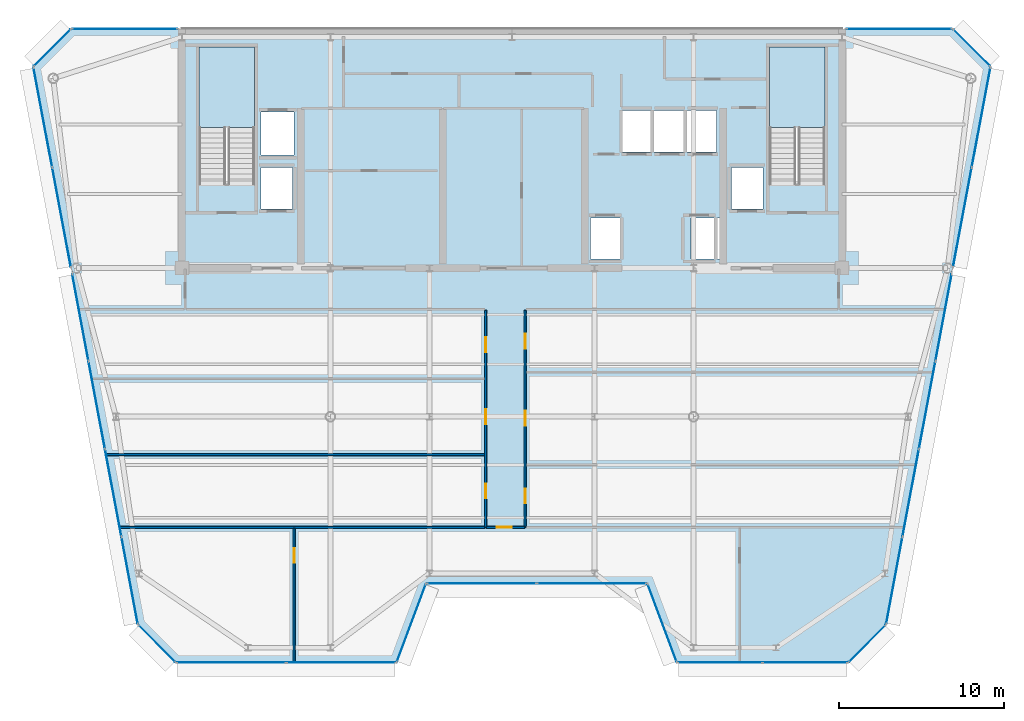
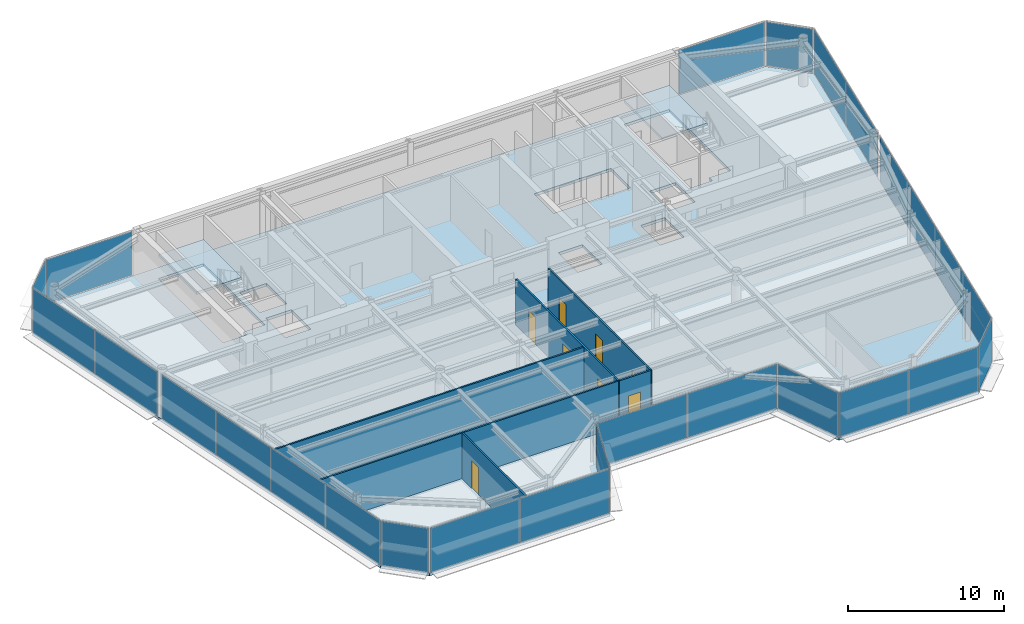
# One storey, part 10 of 20: 26 plates, 8 doors, 6 walls, 3 slabs, 8 openings, 17 elements without a shape of their own.
"""IFC4 building model written with IfcOpenShell, lengths in metres."""

import ifcopenshell
import ifcopenshell.guid

model = None  # the IFC model being written
_history = None  # IfcOwnerHistory: only IFC2X3 demands one
_inside = {}  # id of a spatial element -> (the spatial element, [elements in it])
_under = {}  # id of a project, library or spatial element -> (it, [spatial elements below it])
_declared = {}  # id of a project -> (the project, [libraries it declares])
_typed = {}  # id of a type object -> (the type object, [elements of that type])
_made_of = {}  # id of a material, layer set ... -> (it, [elements and type objects made of it])


def new_model(schema):
    """Start an empty IFC model of exactly this schema.

    Asked for "IFC4X3", IfcOpenShell would pick the latest addendum, in which some entities
    have other attributes; the version numbers below select the first issue.
    IFC2X3 requires an IfcOwnerHistory on every rooted entity: one is made here for all.
    """
    global model, _history
    if schema == "IFC4X3":
        model = ifcopenshell.file(schema_version=(4, 3, 0, 0))
    else:
        model = ifcopenshell.file(schema=schema)
    _inside.clear()
    _under.clear()
    _declared.clear()
    _typed.clear()
    _made_of.clear()
    _history = None
    if model.schema == "IFC2X3":
        org = make("IfcOrganization", Name="unknown")
        user = make(
            "IfcPersonAndOrganization",
            ThePerson=make("IfcPerson", FamilyName="unknown"),
            TheOrganization=org,
        )
        app = make(
            "IfcApplication",
            ApplicationDeveloper=org,
            Version="unknown",
            ApplicationFullName="unknown",
            ApplicationIdentifier="unknown",
        )
        _history = make(
            "IfcOwnerHistory",
            OwningUser=user,
            OwningApplication=app,
            ChangeAction="ADDED",
            CreationDate=0,
        )
    return model


def make(cls, **values):
    """One entity of the class cls with the attributes given. An attribute that is None is left unset."""
    return model.create_entity(
        cls, **{name: value for name, value in values.items() if value is not None}
    )


def rooted(cls, **values):
    """An entity with a GlobalId (a new one), such as an element, a storey or a relation."""
    return make(cls, GlobalId=ifcopenshell.guid.new(), OwnerHistory=_history, **values)


def si_unit(unit_type, name, prefix=None):
    """IfcSIUnit, for example si_unit("LENGTHUNIT", "METRE", prefix="MILLI")."""
    return make("IfcSIUnit", UnitType=unit_type, Prefix=prefix, Name=name)


def assignment(units):
    """IfcUnitAssignment: the units of a project."""
    return None if units is None else make("IfcUnitAssignment", Units=units)


def point(xyz):
    """IfcCartesianPoint."""
    return None if xyz is None else make("IfcCartesianPoint", Coordinates=xyz)


def direction(xyz):
    """IfcDirection."""
    return None if xyz is None else make("IfcDirection", DirectionRatios=xyz)


def frame(location, z_axis=None, x_axis=None):
    """IfcAxis2Placement3D, a coordinate frame: its origin and axes. An axis left out is left unset."""
    return make(
        "IfcAxis2Placement3D",
        Location=point(location),
        Axis=direction(z_axis),
        RefDirection=direction(x_axis),
    )


def frame_2d(location, x_axis=None):
    """IfcAxis2Placement2D, a coordinate frame in the plane: its origin and x axis."""
    return make(
        "IfcAxis2Placement2D", Location=point(location), RefDirection=direction(x_axis)
    )


def origin():
    """The frame at (0, 0, 0) with its axes left unset."""
    return frame((0.0, 0.0, 0.0))


def origin_2d():
    """The frame at (0, 0) in the plane with its x axis left unset."""
    return frame_2d((0.0, 0.0))


def place(relative_to, where):
    """IfcLocalPlacement: puts the frame where relative to a parent placement (None: the world)."""
    return make(
        "IfcLocalPlacement", PlacementRelTo=relative_to, RelativePlacement=where
    )


def context(
    kind, dimensions, precision=None, world=None, true_north=None, identifier=None
):
    """IfcGeometricRepresentationContext, for example the 3D "Model" context."""
    return make(
        "IfcGeometricRepresentationContext",
        ContextIdentifier=identifier,
        ContextType=kind,
        CoordinateSpaceDimension=dimensions,
        Precision=precision,
        WorldCoordinateSystem=world,
        TrueNorth=true_north,
    )


def subcontext(parent, identifier, kind, view, scale=None):
    """IfcGeometricRepresentationSubContext, for example "Body" below "Model"."""
    return make(
        "IfcGeometricRepresentationSubContext",
        ContextIdentifier=identifier,
        ContextType=kind,
        ParentContext=parent,
        TargetScale=scale,
        TargetView=view,
    )


def project(units=None, contexts=None):
    """IfcProject with its units and contexts."""
    return rooted(
        "IfcProject",
        Name="project",
        RepresentationContexts=contexts,
        UnitsInContext=assignment(units),
    )


def spatial(cls, under=None, at=None, **own):
    """A site, building, storey or space (cls), placed at a placement, below another one or the project."""
    s = rooted(cls, ObjectPlacement=at, **own)
    if under is not None:
        _under.setdefault(under.id(), (under, []))[1].append(s)
    return s


def polyline(points):
    """IfcPolyline through the points."""
    return make("IfcPolyline", Points=[point(p) for p in points])


def profile(cls, at=None, kind="AREA", **sizes):
    """A parametric profile (cls). Its sizes go by their IFC names, for example OverallWidth=200.0."""
    return make(cls, ProfileType=kind, Position=at, **sizes)


def rectangle(**sizes):
    """IfcRectangleProfileDef."""
    return profile("IfcRectangleProfileDef", **sizes)


def outline(outer, holes=None, kind="AREA"):
    """IfcArbitraryClosedProfileDef: a profile drawn as a closed curve; with holes, ...WithVoids."""
    if holes is None:
        return make("IfcArbitraryClosedProfileDef", ProfileType=kind, OuterCurve=outer)
    return make(
        "IfcArbitraryProfileDefWithVoids",
        ProfileType=kind,
        OuterCurve=outer,
        InnerCurves=holes,
    )


def extrude(swept, where, along, depth):
    """IfcExtrudedAreaSolid: the profile swept, set in the frame where, extruded along a direction by depth."""
    return make(
        "IfcExtrudedAreaSolid",
        SweptArea=swept,
        Position=where,
        ExtrudedDirection=direction(along),
        Depth=depth,
    )


def shape(context_of_items, identifier, shape_type, items):
    """IfcShapeRepresentation: the items that make up one representation, for example the "Body"."""
    return make(
        "IfcShapeRepresentation",
        ContextOfItems=context_of_items,
        RepresentationIdentifier=identifier,
        RepresentationType=shape_type,
        Items=items,
    )


def source(mapping_origin, context_of_items, identifier, shape_type, items):
    """IfcRepresentationMap: a shape defined once, which mapped items show again and again."""
    return make(
        "IfcRepresentationMap",
        MappingOrigin=mapping_origin,
        MappedRepresentation=shape(context_of_items, identifier, shape_type, items),
    )


def transform(
    local_origin,
    x_axis=None,
    y_axis=None,
    z_axis=None,
    scale=None,
    scale2=None,
    scale3=None,
    uniform=True,
):
    """IfcCartesianTransformationOperator3D, or its non-uniform kind. x_axis, y_axis, z_axis: its Axis1, 2, 3."""
    if uniform:
        return make(
            "IfcCartesianTransformationOperator3D",
            Axis1=direction(x_axis),
            Axis2=direction(y_axis),
            LocalOrigin=point(local_origin),
            Scale=scale,
            Axis3=direction(z_axis),
        )
    return make(
        "IfcCartesianTransformationOperator3DnonUniform",
        Axis1=direction(x_axis),
        Axis2=direction(y_axis),
        LocalOrigin=point(local_origin),
        Scale=scale,
        Axis3=direction(z_axis),
        Scale2=scale2,
        Scale3=scale3,
    )


def mapped(mapping_source, mapping_target):
    """IfcMappedItem: shows the shape of a source again, moved by a transform."""
    return make(
        "IfcMappedItem", MappingSource=mapping_source, MappingTarget=mapping_target
    )


def material(Name=None, Category=None):
    """IfcMaterial."""
    return make("IfcMaterial", Name=Name, Category=Category)


def layer(
    of_material, thickness, ventilated=None, Name=None, Category=None, Priority=None
):
    """IfcMaterialLayer: one layer of a wall or slab, of a material (None: an air gap)."""
    return make(
        "IfcMaterialLayer",
        Material=of_material,
        LayerThickness=thickness,
        IsVentilated=ventilated,
        Name=Name,
        Category=Category,
        Priority=Priority,
    )


def layer_set(layers, Name=None):
    """IfcMaterialLayerSet."""
    return make("IfcMaterialLayerSet", MaterialLayers=layers, LayerSetName=Name)


def made_of(thing, what):
    """Note that an element or type object is made of a material, layer set ...; save() writes the relation."""
    if what is not None:
        _made_of.setdefault(what.id(), (what, []))[1].append(thing)
    return thing


def type_object(cls, material=None, **own):
    """A type object (cls), such as IfcWallType, which elements share."""
    return made_of(rooted(cls, **own), material)


def element(
    cls,
    number,
    at=None,
    inside=None,
    cuts=None,
    type_object=None,
    material=None,
    context=None,
    identifier="Body",
    shape_type=None,
    held_by="IfcProductDefinitionShape",
    body=None,
    shapes=None,
    **own,
):
    """One element of the class cls, such as IfcWall. Its Tag is "e" and its number.

    at: its placement. inside: the storey or other place that contains it. cuts: it is an
    opening in that element (IfcRelVoidsElement). A single representation is given by context,
    identifier, shape_type and body (its items); several are given by shapes. held_by: the class
    of the entity that holds the representations. save() writes the other relations.
    """
    e = rooted(cls, Tag="e%d" % number, ObjectPlacement=at, **own)
    if body is not None:
        shapes = [shape(context, identifier, shape_type, body)]
    if shapes is not None:
        e.Representation = make(held_by, Representations=shapes)
    if inside is not None:
        _inside.setdefault(inside.id(), (inside, []))[1].append(e)
    if cuts is not None:
        rooted(
            "IfcRelVoidsElement", RelatingBuildingElement=cuts, RelatedOpeningElement=e
        )
    if type_object is not None:
        _typed.setdefault(type_object.id(), (type_object, []))[1].append(e)
    return made_of(e, material)


def fill(opening, filler):
    """IfcRelFillsElement: the door or window that sits in an opening."""
    return rooted(
        "IfcRelFillsElement",
        RelatingOpeningElement=opening,
        RelatedBuildingElement=filler,
    )


def aggregate(whole, parts):
    """IfcRelAggregates: a whole, such as a stair, and the parts it consists of."""
    return rooted("IfcRelAggregates", RelatingObject=whole, RelatedObjects=parts)


def save(model, path):
    """Write the relations noted so far, then the file.

    IfcRelAggregates (storeys below a building ...), IfcRelContainedInSpatialStructure (elements
    in a storey), IfcRelDefinesByType, IfcRelAssociatesMaterial and IfcRelDeclares: one each for
    every whole, place, type object, material and project.
    """
    for whole, parts in _under.values():
        aggregate(whole, parts)
    for where, things in _inside.values():
        rooted(
            "IfcRelContainedInSpatialStructure",
            RelatedElements=things,
            RelatingStructure=where,
        )
    for kind, things in _typed.values():
        rooted("IfcRelDefinesByType", RelatedObjects=things, RelatingType=kind)
    for what, things in _made_of.values():
        rooted("IfcRelAssociatesMaterial", RelatedObjects=things, RelatingMaterial=what)
    for by, libraries in _declared.values():
        rooted("IfcRelDeclares", RelatingContext=by, RelatedDefinitions=libraries)
    model.write(path)


model = new_model("IFC4")

# Units and contexts
model_context = context("Model", 3, precision=1e-05, world=origin(), true_north=direction((0.0, 1.0)))
body_context = subcontext(model_context, "Body", "Model", "MODEL_VIEW")
ifc_project = project(units=[si_unit("LENGTHUNIT", "METRE"), si_unit("AREAUNIT", "SQUARE_METRE"), si_unit("VOLUMEUNIT", "CUBIC_METRE"), si_unit("PLANEANGLEUNIT", "RADIAN"), si_unit("MASSUNIT", "GRAM", prefix="KILO")], contexts=[model_context])

# Site, building, storey
site_placement = place(None, origin())
site = spatial("IfcSite", under=ifc_project, at=site_placement, CompositionType="ELEMENT")
building_placement = place(site_placement, origin())
building = spatial("IfcBuilding", under=site, at=building_placement, Name="Vaeldorn Concourse Tower", CompositionType="ELEMENT")
storey_placement = place(building_placement, frame((0.0, 0.0, 291.60009765625)))
storey = spatial("IfcBuildingStorey", under=building, at=storey_placement, Name="L75", CompositionType="ELEMENT", Elevation=291.60009765625)

# Stair, slab
ifc_material_1 = material(Name="Precast concrete C40/50", Category="concrete")
stair_type = type_object("IfcStairType", Name="STR-DOG-24x158", PredefinedType="HALF_TURN_STAIR", material=ifc_material_1)
stair_1_placement = place(storey_placement, origin())
stair_1 = element("IfcStair", 1, at=stair_1_placement, inside=storey, type_object=stair_type, Name="L75 West Core Exit Stair ST-1", PredefinedType="HALF_TURN_STAIR")
ifc_material_2 = material(Name="Concrete C40/50", Category="concrete")
ifc_layer_1 = layer(ifc_material_2, 0.199951171875)
ifc_layer_set_1 = layer_set([ifc_layer_1], Name="Concrete C40/50")
slab_type_1 = type_object("IfcSlabType", Name="SL-STAIR-LANDING", PredefinedType="LANDING", material=ifc_layer_set_1)
slab_1_placement = place(storey_placement, frame((0.0, 0.0, 1.699951171875)))
slab_1 = element("IfcSlab", 2, at=slab_1_placement, type_object=slab_type_1, Name="ST-1 landing 1", PredefinedType="LANDING", context=body_context, shape_type="SweptSolid", body=[
    extrude(outline(polyline([(18.39990234375, 45.010009765625), (18.39990234375, 49.89990234375), (15.050048828125, 49.89990234375), (15.050048828125, 45.010009765625), (18.39990234375, 45.010009765625)])), origin(), (0.0, 0.0, 1.0), 0.199951171875),
])
aggregate(stair_1, [slab_1])

stair_2_placement = place(storey_placement, origin())
stair_2 = element("IfcStair", 3, at=stair_2_placement, inside=storey, type_object=stair_type, Name="L75 East Core Exit Stair ST-2", PredefinedType="HALF_TURN_STAIR")
slab_2_placement = place(storey_placement, frame((0.0, 0.0, 1.699951171875)))
slab_2 = element("IfcSlab", 4, at=slab_2_placement, type_object=slab_type_1, Name="ST-2 landing 1", PredefinedType="LANDING", context=body_context, shape_type="SweptSolid", body=[
    extrude(outline(polyline([(52.949951171875, 45.010009765625), (52.949951171875, 49.89990234375), (49.60009765625, 49.89990234375), (49.60009765625, 45.010009765625), (52.949951171875, 45.010009765625)])), origin(), (0.0, 0.0, 1.0), 0.199951171875),
])
aggregate(stair_2, [slab_2])

# Slab
ifc_layer_2 = layer(ifc_material_2, 0.219970703125)
ifc_layer_set_2 = layer_set([ifc_layer_2], Name="Concrete C40/50")
slab_type_2 = type_object("IfcSlabType", Name="SL-TYP-220", PredefinedType="FLOOR", material=ifc_layer_set_2)
slab_3_placement = place(storey_placement, frame((0.0, 0.0, -0.22021484375)))
element("IfcSlab", 5, at=slab_3_placement, inside=storey, type_object=slab_type_2, Name="Structural Floor Slab L75", PredefinedType="FLOOR", context=body_context, shape_type="SweptSolid", body=[
    extrude(outline(polyline([(13.635986328125, 12.60009765625), (27.0, 12.60009765625), (28.800048828125, 17.39990234375), (42.199951171875, 17.39990234375), (44.0, 12.60009765625), (54.364013671875, 12.60009765625), (56.6640625, 14.89990234375), (63.0, 48.699951171875), (60.699951171875, 51.0), (7.300048828125, 51.0), (5.0, 48.699951171875), (11.3359375, 14.89990234375), (13.635986328125, 12.60009765625)]), holes=[polyline([(18.39990234375, 42.0), (18.39990234375, 49.89990234375), (15.050048828125, 49.89990234375), (15.050048828125, 41.60009765625), (16.800048828125, 41.60009765625), (16.800048828125, 42.0), (18.39990234375, 42.0)]), polyline([(52.949951171875, 42.0), (52.949951171875, 49.89990234375), (49.60009765625, 49.89990234375), (49.60009765625, 41.60009765625), (51.35009765625, 41.60009765625), (51.35009765625, 42.0), (52.949951171875, 42.0)]), polyline([(38.75, 37.050048828125), (40.550048828125, 37.050048828125), (40.550048828125, 39.550048828125), (38.75, 39.550048828125), (38.75, 37.050048828125)]), polyline([(44.85009765625, 37.050048828125), (46.64990234375, 37.050048828125), (46.64990234375, 39.550048828125), (44.85009765625, 39.550048828125), (44.85009765625, 37.050048828125)]), polyline([(40.699951171875, 43.550048828125), (46.39990234375, 43.550048828125), (46.39990234375, 46.050048828125), (40.699951171875, 46.050048828125), (40.699951171875, 43.550048828125)]), polyline([(18.800048828125, 43.35009765625), (20.800048828125, 43.35009765625), (20.800048828125, 45.949951171875), (18.800048828125, 45.949951171875), (18.800048828125, 43.35009765625)]), polyline([(18.800048828125, 40.10009765625), (20.699951171875, 40.10009765625), (20.699951171875, 42.60009765625), (18.800048828125, 42.60009765625), (18.800048828125, 40.10009765625)]), polyline([(47.300048828125, 40.10009765625), (49.199951171875, 40.10009765625), (49.199951171875, 42.60009765625), (47.300048828125, 42.60009765625), (47.300048828125, 40.10009765625)])]), origin(), (0.0, 0.0, 1.0), 0.22021484375),
])

# Curtain wall, plate
ifc_material_3 = material(Name="Anodised Bronze Aluminium", Category="aluminium")
ifc_layer_3 = layer(ifc_material_3, 0.179931640625)
ifc_layer_set_3 = layer_set([ifc_layer_3], Name="Anodised Bronze Aluminium")
curtain_wall_type = type_object("IfcCurtainWallType", Name="CW-SYS-05", PredefinedType="NOTDEFINED", material=ifc_layer_set_3)
curtain_wall_1_placement = place(storey_placement, origin())
curtain_wall_1 = element("IfcCurtainWall", 6, at=curtain_wall_1_placement, inside=storey, type_object=curtain_wall_type, Name="Unitised Curtain Wall CW-L75-E02-1", PredefinedType="NOTDEFINED")
ifc_material_4 = material(Name="Bronze Tinted Low-E Insulated Glass", Category="glass")
ifc_layer_4 = layer(ifc_material_4, 0.031982421875)
ifc_layer_set_4 = layer_set([ifc_layer_4], Name="Bronze Tinted Low-E Insulated Glass")
plate_type = type_object("IfcPlateType", Name="CWP-VISION-32", PredefinedType="CURTAIN_PANEL", material=ifc_layer_set_4)
shared_shape_1 = source(origin(), body_context, "Body", "SweptSolid", [
    extrude(rectangle(XDim=4.996337890625, YDim=0.031982421875, at=origin_2d()), origin(), (0.0, 0.0, 1.0), 3.449951171875),
])
plate_1_placement = place(storey_placement, frame((27.89990234375, 15.0, 0.06494140625), z_axis=(0.0, 0.0, 1.0), x_axis=(0.351123441595, 0.936329177566, 0.0)))
plate_1 = element("IfcPlate", 7, at=plate_1_placement, type_object=plate_type, Name="CW-05 panel 1.1", PredefinedType="CURTAIN_PANEL", context=body_context, shape_type="MappedRepresentation", body=[
    mapped(shared_shape_1, transform((0.0, 0.0, 0.0), scale=1.0)),
])
aggregate(curtain_wall_1, [plate_1])

curtain_wall_2_placement = place(storey_placement, origin())
curtain_wall_2 = element("IfcCurtainWall", 8, at=curtain_wall_2_placement, inside=storey, type_object=curtain_wall_type, Name="Unitised Curtain Wall CW-L75-E04-1", PredefinedType="NOTDEFINED")
plate_2_placement = place(storey_placement, frame((43.10009765625, 15.0, 0.06494140625), z_axis=(0.0, 0.0, 1.0), x_axis=(0.351123441595, -0.936329177566, 0.0)))
plate_2 = element("IfcPlate", 9, at=plate_2_placement, type_object=plate_type, Name="CW-05 panel 1.1", PredefinedType="CURTAIN_PANEL", context=body_context, shape_type="MappedRepresentation", body=[
    mapped(shared_shape_1, transform((0.0, 0.0, 0.0), scale=1.0)),
])
aggregate(curtain_wall_2, [plate_2])

# Curtain wall, plates
curtain_wall_3_placement = place(storey_placement, origin())
curtain_wall_3 = element("IfcCurtainWall", 10, at=curtain_wall_3_placement, inside=storey, type_object=curtain_wall_type, Name="Unitised Curtain Wall CW-L75-E03-1", PredefinedType="NOTDEFINED")
shared_shape_2 = source(origin(), body_context, "Body", "SweptSolid", [
    extrude(rectangle(XDim=6.6025390625, YDim=0.031982421875, at=origin_2d()), origin(), (0.0, 0.0, 1.0), 3.449951171875),
])
plate_3_placement = place(storey_placement, frame((32.166259765625, 17.39990234375, 0.06494140625), z_axis=(0.0, 0.0, 1.0), x_axis=(1.0, 0.0, 0.0)))
plate_3 = element("IfcPlate", 11, at=plate_3_placement, type_object=plate_type, Name="CW-05 panel 1.1", PredefinedType="CURTAIN_PANEL", context=body_context, shape_type="MappedRepresentation", body=[
    mapped(shared_shape_2, transform((0.0, 0.0, 0.0), scale=1.0)),
])
plate_4_placement = place(storey_placement, frame((38.833740234375, 17.39990234375, 0.06494140625), z_axis=(0.0, 0.0, 1.0), x_axis=(1.0, 0.0, 0.0)))
plate_4 = element("IfcPlate", 12, at=plate_4_placement, type_object=plate_type, Name="CW-05 panel 2.1", PredefinedType="CURTAIN_PANEL", context=body_context, shape_type="MappedRepresentation", body=[
    mapped(shared_shape_2, transform((0.0, 0.0, 0.0), scale=1.0)),
])
aggregate(curtain_wall_3, [plate_3, plate_4])

# Curtain wall, plate
curtain_wall_4_placement = place(storey_placement, origin())
curtain_wall_4 = element("IfcCurtainWall", 13, at=curtain_wall_4_placement, inside=storey, type_object=curtain_wall_type, Name="Unitised Curtain Wall CW-L75-E06-1", PredefinedType="NOTDEFINED")
shared_shape_3 = source(origin(), body_context, "Body", "SweptSolid", [
    extrude(rectangle(XDim=3.122802734375, YDim=0.031982421875, at=origin_2d()), origin(), (0.0, 0.0, 1.0), 3.449951171875),
])
plate_5_placement = place(storey_placement, frame((55.513916015625, 13.75, 0.06494140625), z_axis=(0.0, 0.0, 1.0), x_axis=(0.707106781187, 0.707106781187, 0.0)))
plate_5 = element("IfcPlate", 14, at=plate_5_placement, type_object=plate_type, Name="CW-05 panel 1.1", PredefinedType="CURTAIN_PANEL", context=body_context, shape_type="MappedRepresentation", body=[
    mapped(shared_shape_3, transform((0.0, 0.0, 0.0), scale=1.0)),
])
aggregate(curtain_wall_4, [plate_5])

curtain_wall_5_placement = place(storey_placement, origin())
curtain_wall_5 = element("IfcCurtainWall", 15, at=curtain_wall_5_placement, inside=storey, type_object=curtain_wall_type, Name="Unitised Curtain Wall CW-L75-E08-1", PredefinedType="NOTDEFINED")
plate_6_placement = place(storey_placement, frame((61.85009765625, 49.85009765625, 0.06494140625), z_axis=(0.0, 0.0, 1.0), x_axis=(-0.707106781187, 0.707106781187, 0.0)))
plate_6 = element("IfcPlate", 16, at=plate_6_placement, type_object=plate_type, Name="CW-05 panel 1.1", PredefinedType="CURTAIN_PANEL", context=body_context, shape_type="MappedRepresentation", body=[
    mapped(shared_shape_3, transform((0.0, 0.0, 0.0), scale=1.0)),
])
aggregate(curtain_wall_5, [plate_6])

curtain_wall_6_placement = place(storey_placement, origin())
curtain_wall_6 = element("IfcCurtainWall", 17, at=curtain_wall_6_placement, inside=storey, type_object=curtain_wall_type, Name="Unitised Curtain Wall CW-L75-E10-1", PredefinedType="NOTDEFINED")
plate_7_placement = place(storey_placement, frame((6.14990234375, 49.85009765625, 0.06494140625), z_axis=(0.0, 0.0, 1.0), x_axis=(-0.707106781187, -0.707106781187, 0.0)))
plate_7 = element("IfcPlate", 18, at=plate_7_placement, type_object=plate_type, Name="CW-05 panel 1.1", PredefinedType="CURTAIN_PANEL", context=body_context, shape_type="MappedRepresentation", body=[
    mapped(shared_shape_3, transform((0.0, 0.0, 0.0), scale=1.0)),
])
aggregate(curtain_wall_6, [plate_7])

curtain_wall_7_placement = place(storey_placement, origin())
curtain_wall_7 = element("IfcCurtainWall", 19, at=curtain_wall_7_placement, inside=storey, type_object=curtain_wall_type, Name="Unitised Curtain Wall CW-L75-E12-1", PredefinedType="NOTDEFINED")
plate_8_placement = place(storey_placement, frame((12.486083984375, 13.75, 0.06494140625), z_axis=(0.0, 0.0, 1.0), x_axis=(0.707106781187, -0.707106781187, 0.0)))
plate_8 = element("IfcPlate", 20, at=plate_8_placement, type_object=plate_type, Name="CW-05 panel 1.1", PredefinedType="CURTAIN_PANEL", context=body_context, shape_type="MappedRepresentation", body=[
    mapped(shared_shape_3, transform((0.0, 0.0, 0.0), scale=1.0)),
])
aggregate(curtain_wall_7, [plate_8])

curtain_wall_8_placement = place(storey_placement, origin())
curtain_wall_8 = element("IfcCurtainWall", 21, at=curtain_wall_8_placement, inside=storey, type_object=curtain_wall_type, Name="Unitised Curtain Wall CW-L75-E09-1", PredefinedType="NOTDEFINED")
shared_shape_4 = source(origin(), body_context, "Body", "SweptSolid", [
    extrude(rectangle(XDim=6.35009765625, YDim=0.031982421875, at=origin_2d()), origin(), (0.0, 0.0, 1.0), 3.449951171875),
])
plate_9_placement = place(storey_placement, frame((57.4599609375, 51.0, 0.06494140625), z_axis=(0.0, 0.0, 1.0), x_axis=(-1.0, 0.0, 0.0)))
plate_9 = element("IfcPlate", 22, at=plate_9_placement, type_object=plate_type, Name="CW-05 panel 1.1", PredefinedType="CURTAIN_PANEL", context=body_context, shape_type="MappedRepresentation", body=[
    mapped(shared_shape_4, transform((0.0, 0.0, 0.0), scale=1.0)),
])
aggregate(curtain_wall_8, [plate_9])

curtain_wall_9_placement = place(storey_placement, origin())
curtain_wall_9 = element("IfcCurtainWall", 23, at=curtain_wall_9_placement, inside=storey, type_object=curtain_wall_type, Name="Unitised Curtain Wall CW-L75-E09-2", PredefinedType="NOTDEFINED")
plate_10_placement = place(storey_placement, frame((10.5400390625, 51.0, 0.06494140625), z_axis=(0.0, 0.0, 1.0), x_axis=(-1.0, 0.0, 0.0)))
plate_10 = element("IfcPlate", 24, at=plate_10_placement, type_object=plate_type, Name="CW-05 panel 1.1", PredefinedType="CURTAIN_PANEL", context=body_context, shape_type="MappedRepresentation", body=[
    mapped(shared_shape_4, transform((0.0, 0.0, 0.0), scale=1.0)),
])
aggregate(curtain_wall_9, [plate_10])

# Curtain wall, plates
curtain_wall_10_placement = place(storey_placement, origin())
curtain_wall_10 = element("IfcCurtainWall", 25, at=curtain_wall_10_placement, inside=storey, type_object=curtain_wall_type, Name="Unitised Curtain Wall CW-L75-E07-1", PredefinedType="NOTDEFINED")
shared_shape_5 = source(origin(), body_context, "Body", "SweptSolid", [
    extrude(rectangle(XDim=5.31640625, YDim=0.031982421875, at=origin_2d()), origin(), (0.0, 0.0, 1.0), 3.449951171875),
])
plate_11_placement = place(storey_placement, frame((57.165771484375, 17.57666015625, 0.06494140625), z_axis=(0.0, 0.0, 1.0), x_axis=(0.184246714088, 0.982880027444, 0.0)))
plate_11 = element("IfcPlate", 26, at=plate_11_placement, type_object=plate_type, Name="CW-05 panel 1.1", PredefinedType="CURTAIN_PANEL", context=body_context, shape_type="MappedRepresentation", body=[
    mapped(shared_shape_5, transform((0.0, 0.0, 0.0), scale=1.0)),
])
plate_12_placement = place(storey_placement, frame((60.15234375, 33.50830078125, 0.06494140625), z_axis=(0.0, 0.0, 1.0), x_axis=(0.184246714088, 0.982880027444, 0.0)))
plate_12 = element("IfcPlate", 27, at=plate_12_placement, type_object=plate_type, Name="CW-05 panel 4.1", PredefinedType="CURTAIN_PANEL", context=body_context, shape_type="MappedRepresentation", body=[
    mapped(shared_shape_5, transform((0.0, 0.0, 0.0), scale=1.0)),
])

curtain_wall_11_placement = place(storey_placement, origin())
curtain_wall_11 = element("IfcCurtainWall", 28, at=curtain_wall_11_placement, inside=storey, type_object=curtain_wall_type, Name="Unitised Curtain Wall CW-L75-E11-2", PredefinedType="NOTDEFINED")
plate_13_placement = place(storey_placement, frame((7.84765625, 33.50830078125, 0.06494140625), z_axis=(0.0, 0.0, 1.0), x_axis=(0.184246714088, -0.982880027444, 0.0)))
plate_13 = element("IfcPlate", 29, at=plate_13_placement, type_object=plate_type, Name="CW-05 panel 1.1", PredefinedType="CURTAIN_PANEL", context=body_context, shape_type="MappedRepresentation", body=[
    mapped(shared_shape_5, transform((0.0, 0.0, 0.0), scale=1.0)),
])
plate_14_placement = place(storey_placement, frame((10.834228515625, 17.57666015625, 0.06494140625), z_axis=(0.0, 0.0, 1.0), x_axis=(0.184246714088, -0.982880027444, 0.0)))
plate_14 = element("IfcPlate", 30, at=plate_14_placement, type_object=plate_type, Name="CW-05 panel 4.1", PredefinedType="CURTAIN_PANEL", context=body_context, shape_type="MappedRepresentation", body=[
    mapped(shared_shape_5, transform((0.0, 0.0, 0.0), scale=1.0)),
])

# Plate
shared_shape_6 = source(origin(), body_context, "Body", "SweptSolid", [
    extrude(rectangle(XDim=5.348876953125, YDim=0.031982421875, at=origin_2d()), origin(), (0.0, 0.0, 1.0), 3.449951171875),
])
plate_15_placement = place(storey_placement, frame((58.16015625, 22.8818359375, 0.06494140625), z_axis=(0.0, 0.0, 1.0), x_axis=(0.184246714088, 0.982880027444, 0.0)))
plate_15 = element("IfcPlate", 31, at=plate_15_placement, type_object=plate_type, Name="CW-05 panel 2.1", PredefinedType="CURTAIN_PANEL", context=body_context, shape_type="MappedRepresentation", body=[
    mapped(shared_shape_6, transform((0.0, 0.0, 0.0), scale=1.0)),
])

plate_16_placement = place(storey_placement, frame((59.15771484375, 28.203125, 0.06494140625), z_axis=(0.0, 0.0, 1.0), x_axis=(0.184246714088, 0.982880027444, 0.0)))
plate_16 = element("IfcPlate", 32, at=plate_16_placement, type_object=plate_type, Name="CW-05 panel 3.1", PredefinedType="CURTAIN_PANEL", context=body_context, shape_type="MappedRepresentation", body=[
    mapped(shared_shape_6, transform((0.0, 0.0, 0.0), scale=1.0)),
])

aggregate(curtain_wall_10, [plate_11, plate_15, plate_16, plate_12])

plate_17_placement = place(storey_placement, frame((8.84228515625, 28.203125, 0.06494140625), z_axis=(0.0, 0.0, 1.0), x_axis=(0.184246714088, -0.982880027444, 0.0)))
plate_17 = element("IfcPlate", 33, at=plate_17_placement, type_object=plate_type, Name="CW-05 panel 2.1", PredefinedType="CURTAIN_PANEL", context=body_context, shape_type="MappedRepresentation", body=[
    mapped(shared_shape_6, transform((0.0, 0.0, 0.0), scale=1.0)),
])

plate_18_placement = place(storey_placement, frame((9.83984375, 22.8818359375, 0.06494140625), z_axis=(0.0, 0.0, 1.0), x_axis=(0.184246714088, -0.982880027444, 0.0)))
plate_18 = element("IfcPlate", 34, at=plate_18_placement, type_object=plate_type, Name="CW-05 panel 3.1", PredefinedType="CURTAIN_PANEL", context=body_context, shape_type="MappedRepresentation", body=[
    mapped(shared_shape_6, transform((0.0, 0.0, 0.0), scale=1.0)),
])

aggregate(curtain_wall_11, [plate_13, plate_17, plate_18, plate_14])

# Curtain wall, plates
curtain_wall_12_placement = place(storey_placement, origin())
curtain_wall_12 = element("IfcCurtainWall", 35, at=curtain_wall_12_placement, inside=storey, type_object=curtain_wall_type, Name="Unitised Curtain Wall CW-L75-E07-2", PredefinedType="NOTDEFINED")
shared_shape_7 = source(origin(), body_context, "Body", "SweptSolid", [
    extrude(rectangle(XDim=6.103515625, YDim=0.031982421875, at=origin_2d()), origin(), (0.0, 0.0, 1.0), 3.449951171875),
])
plate_19_placement = place(storey_placement, frame((61.289306640625, 39.57373046875, 0.06494140625), z_axis=(0.0, 0.0, 1.0), x_axis=(0.184245693053, 0.982880218842, 0.0)))
plate_19 = element("IfcPlate", 36, at=plate_19_placement, type_object=plate_type, Name="CW-05 panel 1.1", PredefinedType="CURTAIN_PANEL", context=body_context, shape_type="MappedRepresentation", body=[
    mapped(shared_shape_7, transform((0.0, 0.0, 0.0), scale=1.0)),
])
plate_20_placement = place(storey_placement, frame((62.42578125, 45.63671875, 0.06494140625), z_axis=(0.0, 0.0, 1.0), x_axis=(0.184245693053, 0.982880218842, 0.0)))
plate_20 = element("IfcPlate", 37, at=plate_20_placement, type_object=plate_type, Name="CW-05 panel 2.1", PredefinedType="CURTAIN_PANEL", context=body_context, shape_type="MappedRepresentation", body=[
    mapped(shared_shape_7, transform((0.0, 0.0, 0.0), scale=1.0)),
])
aggregate(curtain_wall_12, [plate_19, plate_20])

curtain_wall_13_placement = place(storey_placement, origin())
curtain_wall_13 = element("IfcCurtainWall", 38, at=curtain_wall_13_placement, inside=storey, type_object=curtain_wall_type, Name="Unitised Curtain Wall CW-L75-E11-1", PredefinedType="NOTDEFINED")
plate_21_placement = place(storey_placement, frame((5.57421875, 45.63671875, 0.06494140625), z_axis=(0.0, 0.0, 1.0), x_axis=(0.184245693053, -0.982880218842, 0.0)))
plate_21 = element("IfcPlate", 39, at=plate_21_placement, type_object=plate_type, Name="CW-05 panel 1.1", PredefinedType="CURTAIN_PANEL", context=body_context, shape_type="MappedRepresentation", body=[
    mapped(shared_shape_7, transform((0.0, 0.0, 0.0), scale=1.0)),
])
plate_22_placement = place(storey_placement, frame((6.710693359375, 39.57373046875, 0.06494140625), z_axis=(0.0, 0.0, 1.0), x_axis=(0.184245693053, -0.982880218842, 0.0)))
plate_22 = element("IfcPlate", 40, at=plate_22_placement, type_object=plate_type, Name="CW-05 panel 2.1", PredefinedType="CURTAIN_PANEL", context=body_context, shape_type="MappedRepresentation", body=[
    mapped(shared_shape_7, transform((0.0, 0.0, 0.0), scale=1.0)),
])
aggregate(curtain_wall_13, [plate_21, plate_22])

curtain_wall_14_placement = place(storey_placement, origin())
curtain_wall_14 = element("IfcCurtainWall", 41, at=curtain_wall_14_placement, inside=storey, type_object=curtain_wall_type, Name="Unitised Curtain Wall CW-L75-E01-1", PredefinedType="NOTDEFINED")
shared_shape_8 = source(origin(), body_context, "Body", "SweptSolid", [
    extrude(rectangle(XDim=6.58447265625, YDim=0.031982421875, at=origin_2d()), origin(), (0.0, 0.0, 1.0), 3.449951171875),
])
plate_23_placement = place(storey_placement, frame((16.9931640625, 12.60009765625, 0.06494140625), z_axis=(0.0, 0.0, 1.0), x_axis=(1.0, 0.0, 0.0)))
plate_23 = element("IfcPlate", 42, at=plate_23_placement, type_object=plate_type, Name="CW-05 panel 1.1", PredefinedType="CURTAIN_PANEL", context=body_context, shape_type="MappedRepresentation", body=[
    mapped(shared_shape_8, transform((0.0, 0.0, 0.0), scale=1.0)),
])
plate_24_placement = place(storey_placement, frame((23.642822265625, 12.60009765625, 0.06494140625), z_axis=(0.0, 0.0, 1.0), x_axis=(1.0, 0.0, 0.0)))
plate_24 = element("IfcPlate", 43, at=plate_24_placement, type_object=plate_type, Name="CW-05 panel 2.1", PredefinedType="CURTAIN_PANEL", context=body_context, shape_type="MappedRepresentation", body=[
    mapped(shared_shape_8, transform((0.0, 0.0, 0.0), scale=1.0)),
])
aggregate(curtain_wall_14, [plate_23, plate_24])

curtain_wall_15_placement = place(storey_placement, origin())
curtain_wall_15 = element("IfcCurtainWall", 44, at=curtain_wall_15_placement, inside=storey, type_object=curtain_wall_type, Name="Unitised Curtain Wall CW-L75-E05-1", PredefinedType="NOTDEFINED")
shared_shape_9 = source(origin(), body_context, "Body", "SweptSolid", [
    extrude(rectangle(XDim=5.08447265625, YDim=0.031982421875, at=origin_2d()), origin(), (0.0, 0.0, 1.0), 3.449951171875),
])
plate_25_placement = place(storey_placement, frame((46.607177734375, 12.60009765625, 0.06494140625), z_axis=(0.0, 0.0, 1.0), x_axis=(1.0, 0.0, 0.0)))
plate_25 = element("IfcPlate", 45, at=plate_25_placement, type_object=plate_type, Name="CW-05 panel 1.1", PredefinedType="CURTAIN_PANEL", context=body_context, shape_type="MappedRepresentation", body=[
    mapped(shared_shape_9, transform((0.0, 0.0, 0.0), scale=1.0)),
])
plate_26_placement = place(storey_placement, frame((51.7568359375, 12.60009765625, 0.06494140625), z_axis=(0.0, 0.0, 1.0), x_axis=(1.0, 0.0, 0.0)))
plate_26 = element("IfcPlate", 46, at=plate_26_placement, type_object=plate_type, Name="CW-05 panel 2.1", PredefinedType="CURTAIN_PANEL", context=body_context, shape_type="MappedRepresentation", body=[
    mapped(shared_shape_9, transform((0.0, 0.0, 0.0), scale=1.0)),
])
aggregate(curtain_wall_15, [plate_25, plate_26])

# Wall, openings, doors
ifc_material_5 = material(Name="Gypsum Board Partition", Category="gypsum")
ifc_layer_5 = layer(ifc_material_5, 0.1201171875)
ifc_layer_set_5 = layer_set([ifc_layer_5], Name="Gypsum Board Partition")
wall_type = type_object("IfcWallType", Name="WL-PART-120", PredefinedType="PARTITIONING", material=ifc_layer_set_5)
wall_1_placement = place(storey_placement, frame((32.39990234375, 20.800048828125, 0.0), z_axis=(0.0, 0.0, 1.0), x_axis=(0.0, 1.0, 0.0)))
wall_1 = element("IfcWall", 47, at=wall_1_placement, inside=storey, type_object=wall_type, Name="Interior Wall PW-L75-CSPW", PredefinedType="PARTITIONING", context=body_context, shape_type="SweptSolid", body=[
    extrude(rectangle(XDim=13.139892578125, YDim=0.1201171875, at=frame_2d((6.56982421875, 0.0))), origin(), (0.0, 0.0, 1.0), 3.579833984375),
])
opening_1_placement = place(wall_1_placement, frame((1.75, 0.0, 0.0)))
opening_1 = element("IfcOpeningElement", 48, at=opening_1_placement, cuts=wall_1, Name="Opening D-03", PredefinedType="OPENING", context=body_context, shape_type="SweptSolid", body=[
    extrude(rectangle(XDim=0.89990234375, YDim=2.14990234375, at=frame_2d((0.449951171875, 1.074951171875))), frame((0.0, 0.070068359375, 0.0), z_axis=(0.0, -1.0, 0.0), x_axis=(1.0, 0.0, 0.0)), (0.0, 0.0, 1.0), 0.14013671875),
])
opening_2_placement = place(wall_1_placement, frame((6.25, 0.0, 0.0)))
opening_2 = element("IfcOpeningElement", 49, at=opening_2_placement, cuts=wall_1, Name="Opening D-03", PredefinedType="OPENING", context=body_context, shape_type="SweptSolid", body=[
    extrude(rectangle(XDim=0.89990234375, YDim=2.14990234375, at=frame_2d((0.449951171875, 1.074951171875))), frame((0.0, 0.070068359375, 0.0), z_axis=(0.0, -1.0, 0.0), x_axis=(1.0, 0.0, 0.0)), (0.0, 0.0, 1.0), 0.14013671875),
])
opening_3_placement = place(wall_1_placement, frame((10.6201171875, 0.0, 0.0)))
opening_3 = element("IfcOpeningElement", 50, at=opening_3_placement, cuts=wall_1, Name="Opening D-03", PredefinedType="OPENING", context=body_context, shape_type="SweptSolid", body=[
    extrude(rectangle(XDim=0.89990234375, YDim=2.14990234375, at=frame_2d((0.449951171875, 1.074951171875))), frame((0.0, 0.070068359375, 0.0), z_axis=(0.0, -1.0, 0.0), x_axis=(1.0, 0.0, 0.0)), (0.0, 0.0, 1.0), 0.14013671875),
])
ifc_material_6 = material(Name="Acoustic Bronze-Framed Glass Door", Category="glass")
door_type = type_object("IfcDoorType", Name="DR-INT-900", OperationType="NOTDEFINED", PredefinedType="DOOR", material=ifc_material_6)
shared_shape_10 = source(origin(), body_context, "Body", "SweptSolid", [
    extrude(rectangle(XDim=0.89990234375, YDim=2.14990234375, at=frame_2d((0.449951171875, 1.074951171875))), frame((0.0, 0.02490234375, 0.0), z_axis=(0.0, -1.0, 0.0), x_axis=(1.0, 0.0, 0.0)), (0.0, 0.0, 1.0), 0.050048828125),
])
door_1_placement = place(opening_1_placement, origin())
door_1 = element("IfcDoor", 51, at=door_1_placement, inside=storey, type_object=door_type, Name="Interior Door DR-L75-Z3W1", OperationType="SINGLE_SWING_LEFT", OverallHeight=2.14990234375, OverallWidth=0.89990234375, PredefinedType="DOOR", context=body_context, shape_type="MappedRepresentation", body=[
    mapped(shared_shape_10, transform((0.0, 0.0, 0.0), scale=1.0)),
])
fill(opening_1, door_1)
door_2_placement = place(opening_2_placement, origin())
door_2 = element("IfcDoor", 52, at=door_2_placement, inside=storey, type_object=door_type, Name="Interior Door DR-L75-Z3W2", OperationType="SINGLE_SWING_RIGHT", OverallHeight=2.14990234375, OverallWidth=0.89990234375, PredefinedType="DOOR", context=body_context, shape_type="MappedRepresentation", body=[
    mapped(shared_shape_10, transform((0.0, 0.0, 0.0), scale=1.0)),
])
fill(opening_2, door_2)
door_3_placement = place(opening_3_placement, origin())
door_3 = element("IfcDoor", 53, at=door_3_placement, inside=storey, type_object=door_type, Name="Interior Door DR-L75-Z3W3", OperationType="SINGLE_SWING_LEFT", OverallHeight=2.14990234375, OverallWidth=0.89990234375, PredefinedType="DOOR", context=body_context, shape_type="MappedRepresentation", body=[
    mapped(shared_shape_10, transform((0.0, 0.0, 0.0), scale=1.0)),
])
fill(opening_3, door_3)

wall_2_placement = place(storey_placement, frame((34.800048828125, 20.800048828125, 0.0), z_axis=(0.0, 0.0, 1.0), x_axis=(0.0, 1.0, 0.0)))
wall_2 = element("IfcWall", 54, at=wall_2_placement, inside=storey, type_object=wall_type, Name="Interior Wall PW-L75-CSPE", PredefinedType="PARTITIONING", context=body_context, shape_type="SweptSolid", body=[
    extrude(rectangle(XDim=13.139892578125, YDim=0.1201171875, at=frame_2d((6.56982421875, 0.0))), origin(), (0.0, 0.0, 1.0), 3.579833984375),
])
opening_4_placement = place(wall_2_placement, frame((1.449951171875, 0.0, 0.0)))
opening_4 = element("IfcOpeningElement", 55, at=opening_4_placement, cuts=wall_2, Name="Opening D-03", PredefinedType="OPENING", context=body_context, shape_type="SweptSolid", body=[
    extrude(rectangle(XDim=0.89990234375, YDim=2.14990234375, at=frame_2d((0.449951171875, 1.074951171875))), frame((0.0, 0.070068359375, 0.0), z_axis=(0.0, -1.0, 0.0), x_axis=(1.0, 0.0, 0.0)), (0.0, 0.0, 1.0), 0.14013671875),
])
opening_5_placement = place(wall_2_placement, frame((6.14990234375, 0.0, 0.0)))
opening_5 = element("IfcOpeningElement", 56, at=opening_5_placement, cuts=wall_2, Name="Opening D-03", PredefinedType="OPENING", context=body_context, shape_type="SweptSolid", body=[
    extrude(rectangle(XDim=0.89990234375, YDim=2.14990234375, at=frame_2d((0.449951171875, 1.074951171875))), frame((0.0, 0.070068359375, 0.0), z_axis=(0.0, -1.0, 0.0), x_axis=(1.0, 0.0, 0.0)), (0.0, 0.0, 1.0), 0.14013671875),
])
opening_6_placement = place(wall_2_placement, frame((10.820068359375, 0.0, 0.0)))
opening_6 = element("IfcOpeningElement", 57, at=opening_6_placement, cuts=wall_2, Name="Opening D-03", PredefinedType="OPENING", context=body_context, shape_type="SweptSolid", body=[
    extrude(rectangle(XDim=0.89990234375, YDim=2.14990234375, at=frame_2d((0.449951171875, 1.074951171875))), frame((0.0, 0.070068359375, 0.0), z_axis=(0.0, -1.0, 0.0), x_axis=(1.0, 0.0, 0.0)), (0.0, 0.0, 1.0), 0.14013671875),
])
door_4_placement = place(opening_4_placement, origin())
door_4 = element("IfcDoor", 58, at=door_4_placement, inside=storey, type_object=door_type, Name="Interior Door DR-L75-Z3E1", OperationType="SINGLE_SWING_RIGHT", OverallHeight=2.14990234375, OverallWidth=0.89990234375, PredefinedType="DOOR", context=body_context, shape_type="MappedRepresentation", body=[
    mapped(shared_shape_10, transform((0.0, 0.0, 0.0), scale=1.0)),
])
fill(opening_4, door_4)
door_5_placement = place(opening_5_placement, origin())
door_5 = element("IfcDoor", 59, at=door_5_placement, inside=storey, type_object=door_type, Name="Interior Door DR-L75-Z3E2", OperationType="SINGLE_SWING_LEFT", OverallHeight=2.14990234375, OverallWidth=0.89990234375, PredefinedType="DOOR", context=body_context, shape_type="MappedRepresentation", body=[
    mapped(shared_shape_10, transform((0.0, 0.0, 0.0), scale=1.0)),
])
fill(opening_5, door_5)
door_6_placement = place(opening_6_placement, origin())
door_6 = element("IfcDoor", 60, at=door_6_placement, inside=storey, type_object=door_type, Name="Interior Door DR-L75-Z3E3", OperationType="SINGLE_SWING_RIGHT", OverallHeight=2.14990234375, OverallWidth=0.89990234375, PredefinedType="DOOR", context=body_context, shape_type="MappedRepresentation", body=[
    mapped(shared_shape_10, transform((0.0, 0.0, 0.0), scale=1.0)),
])
fill(opening_6, door_6)

# Wall, opening, door
wall_3_placement = place(storey_placement, frame((32.43994140625, 20.800048828125, 0.0), z_axis=(0.0, 0.0, 1.0), x_axis=(1.0, 0.0, 0.0)))
wall_3 = element("IfcWall", 61, at=wall_3_placement, inside=storey, type_object=wall_type, Name="Interior Wall PW-L75-CSPS", PredefinedType="PARTITIONING", context=body_context, shape_type="SweptSolid", body=[
    extrude(rectangle(XDim=2.320068359375, YDim=0.1201171875, at=frame_2d((1.16015625, 0.0))), origin(), (0.0, 0.0, 1.0), 3.579833984375),
])
opening_7_placement = place(wall_3_placement, frame((0.64990234375, 0.0, 0.0)))
opening_7 = element("IfcOpeningElement", 62, at=opening_7_placement, cuts=wall_3, Name="Opening D-03", PredefinedType="OPENING", context=body_context, shape_type="SweptSolid", body=[
    extrude(rectangle(XDim=0.89990234375, YDim=2.14990234375, at=frame_2d((0.449951171875, 1.074951171875))), frame((0.0, 0.070068359375, 0.0), z_axis=(0.0, -1.0, 0.0), x_axis=(1.0, 0.0, 0.0)), (0.0, 0.0, 1.0), 0.14013671875),
])
door_7_placement = place(opening_7_placement, origin())
door_7 = element("IfcDoor", 63, at=door_7_placement, inside=storey, type_object=door_type, Name="Interior Door DR-L75-Z3SM", OperationType="SINGLE_SWING_LEFT", OverallHeight=2.14990234375, OverallWidth=0.89990234375, PredefinedType="DOOR", context=body_context, shape_type="MappedRepresentation", body=[
    mapped(shared_shape_10, transform((0.0, 0.0, 0.0), scale=1.0)),
])
fill(opening_7, door_7)

# Walls
wall_4_placement = place(storey_placement, frame((9.4453125, 25.199951171875, 0.0), z_axis=(0.0, 0.0, 1.0), x_axis=(1.0, 0.0, 0.0)))
element("IfcWall", 64, at=wall_4_placement, inside=storey, type_object=wall_type, Name="Interior Wall PW-L75-Z3WY1", PredefinedType="PARTITIONING", context=body_context, shape_type="SweptSolid", body=[
    extrude(rectangle(XDim=22.894775390625, YDim=0.1201171875, at=frame_2d((11.447265625, 0.0))), origin(), (0.0, 0.0, 1.0), 3.579833984375),
])
wall_5_placement = place(storey_placement, frame((10.27001953125, 20.800048828125, 0.0), z_axis=(0.0, 0.0, 1.0), x_axis=(1.0, 0.0, 0.0)))
element("IfcWall", 65, at=wall_5_placement, inside=storey, type_object=wall_type, Name="Interior Wall PW-L75-Z3SWL", PredefinedType="PARTITIONING", context=body_context, shape_type="SweptSolid", body=[
    extrude(rectangle(XDim=22.070068359375, YDim=0.1201171875, at=frame_2d((11.03515625, 0.0))), origin(), (0.0, 0.0, 1.0), 3.579833984375),
])

# Wall, opening, door
wall_6_placement = place(storey_placement, frame((20.800048828125, 12.639892578125, 0.0), z_axis=(0.0, 0.0, 1.0), x_axis=(0.0, 1.0, 0.0)))
wall_6 = element("IfcWall", 66, at=wall_6_placement, inside=storey, type_object=wall_type, Name="Interior Wall PW-L75-Z3SX1", PredefinedType="PARTITIONING", context=body_context, shape_type="SweptSolid", body=[
    extrude(rectangle(XDim=8.10009765625, YDim=0.1201171875, at=frame_2d((4.050048828125, 0.0))), origin(), (0.0, 0.0, 1.0), 3.579833984375),
])
opening_8_placement = place(wall_6_placement, frame((6.0, 0.0, 0.0)))
opening_8 = element("IfcOpeningElement", 67, at=opening_8_placement, cuts=wall_6, Name="Opening D-03", PredefinedType="OPENING", context=body_context, shape_type="SweptSolid", body=[
    extrude(rectangle(XDim=0.89990234375, YDim=2.14990234375, at=frame_2d((0.449951171875, 1.074951171875))), frame((0.0, 0.070068359375, 0.0), z_axis=(0.0, -1.0, 0.0), x_axis=(1.0, 0.0, 0.0)), (0.0, 0.0, 1.0), 0.14013671875),
])
door_8_placement = place(opening_8_placement, origin())
door_8 = element("IfcDoor", 68, at=door_8_placement, inside=storey, type_object=door_type, Name="Interior Door DR-L75-Z3SX1", OperationType="SINGLE_SWING_RIGHT", OverallHeight=2.14990234375, OverallWidth=0.89990234375, PredefinedType="DOOR", context=body_context, shape_type="MappedRepresentation", body=[
    mapped(shared_shape_10, transform((0.0, 0.0, 0.0), scale=1.0)),
])
fill(opening_8, door_8)

save(model, "model.ifc")
